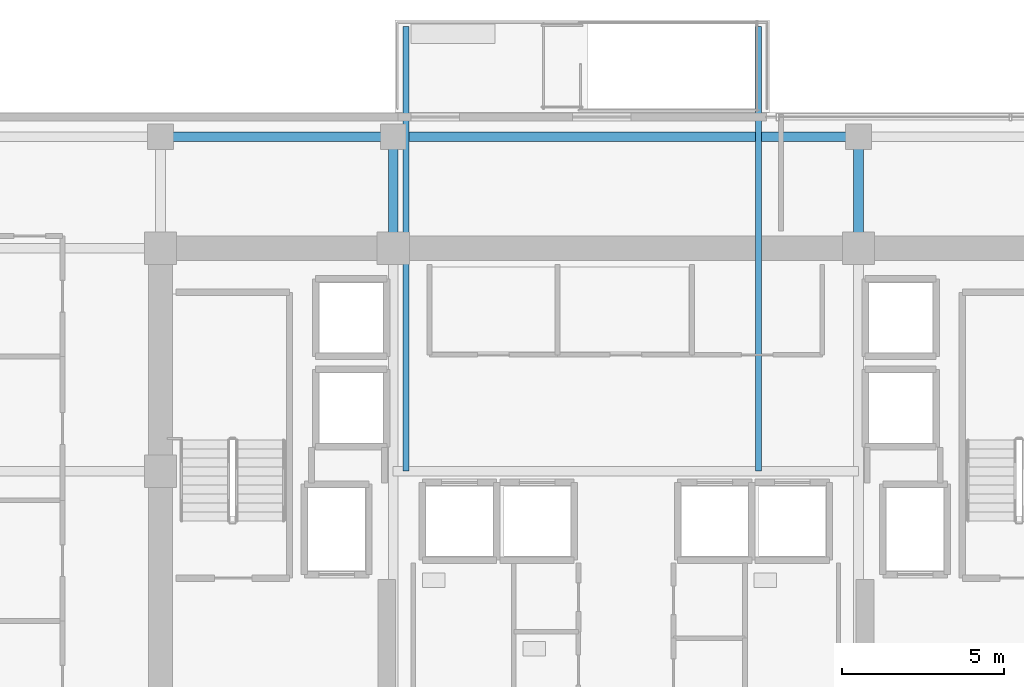
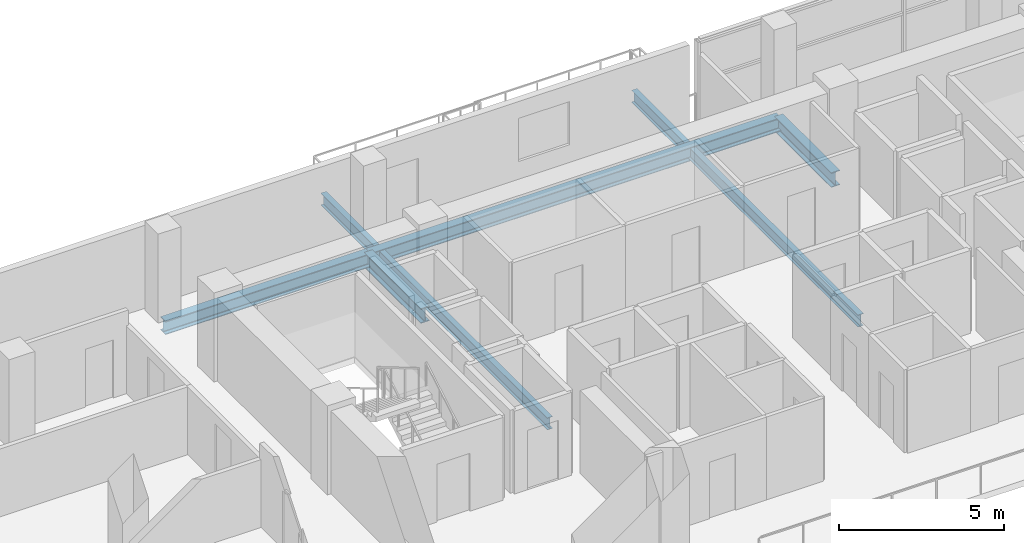
# One storey, part 11 of 23: 6 beams.
"""IFC4 building model written with IfcOpenShell, lengths in metres."""

from ifc_helpers import new_model, si_unit, direction, frame, origin, origin_2d, place, context, subcontext, project, spatial, i_section, extrude, material, material_profile, profile_set, type_object, element, save


model = new_model("IFC4")

# Units and contexts
model_context = context("Model", 3, precision=1e-05, world=origin(), true_north=direction((0.0, 1.0)))
body_context = subcontext(model_context, "Body", "Model", "MODEL_VIEW")
ifc_project = project(units=[si_unit("LENGTHUNIT", "METRE"), si_unit("AREAUNIT", "SQUARE_METRE"), si_unit("VOLUMEUNIT", "CUBIC_METRE"), si_unit("PLANEANGLEUNIT", "RADIAN"), si_unit("MASSUNIT", "GRAM", prefix="KILO")], contexts=[model_context])

# Site, building, storey
site_placement = place(None, origin())
site = spatial("IfcSite", under=ifc_project, at=site_placement, CompositionType="ELEMENT")
building_placement = place(site_placement, origin())
building = spatial("IfcBuilding", under=site, at=building_placement, Name="Zarnakvel Exchange Tower", CompositionType="ELEMENT")
storey_placement = place(building_placement, frame((0.0, 0.0, 116.5)))
storey = spatial("IfcBuildingStorey", under=building, at=storey_placement, Name="L32", CompositionType="ELEMENT", Elevation=116.5)

# Beams
ifc_material = material(Name="Steel S355", Category="steel")
ifc_material_profile_1 = material_profile(ifc_material, i_section(OverallWidth=0.18994140625, OverallDepth=0.449951171875, WebThickness=0.009521484375, FlangeThickness=0.0146484375, FilletRadius=0.02099609375, at=origin_2d()))
ifc_profile_set_1 = profile_set([ifc_material_profile_1], Name="Steel S355")
beam_type_1 = type_object("IfcBeamType", Name="B-05", PredefinedType="JOIST", material=ifc_profile_set_1)
for number, where, z_axis, x_axis, name in (
    (1, (-6.800048828125, 6.60009765625, -0.47509765625), (0.0, 1.0, 0.0), (-1.0, 0.0, 0.0), "L32 Continuous North Spiral Terrace Beam W"),
    (2, (4.10009765625, 6.60009765625, -0.47509765625), (0.0, 1.0, 0.0), (-1.0, 0.0, 0.0), "L32 Continuous North Spiral Terrace Beam E"),
):
    element("IfcBeam", number, at=place(storey_placement, frame(where, z_axis=z_axis, x_axis=x_axis)), inside=storey, type_object=beam_type_1, Name=name, PredefinedType="JOIST", context=body_context, shape_type="SweptSolid", body=[
        extrude(i_section(OverallWidth=0.18994140625, OverallDepth=0.449951171875, WebThickness=0.009521484375, FlangeThickness=0.0146484375, FilletRadius=0.02099609375, at=origin_2d()), origin(), (0.0, 0.0, 1.0), 13.760009765625),
    ])
ifc_material_profile_2 = material_profile(ifc_material, i_section(OverallWidth=0.300048828125, OverallDepth=0.550048828125, WebThickness=0.014892578125, FlangeThickness=0.029052734375, FilletRadius=0.027099609375, at=origin_2d()))
ifc_profile_set_2 = profile_set([ifc_material_profile_2], Name="Steel S355")
beam_type_2 = type_object("IfcBeamType", Name="G-05", PredefinedType="BEAM", material=ifc_profile_set_2)
for number, where, z_axis, x_axis, name in (
    (3, (-7.199951171875, 13.5, -0.5), (0.0, 1.0, 0.0), (-1.0, 0.0, 0.0), "L32 Tower N-S Frame Beam"),
    (4, (7.199951171875, 13.5, -0.5), (0.0, 1.0, 0.0), (-1.0, 0.0, 0.0), "L32 Tower N-S Frame Beam"),
):
    element("IfcBeam", number, at=place(storey_placement, frame(where, z_axis=z_axis, x_axis=x_axis)), inside=storey, type_object=beam_type_2, Name=name, PredefinedType="BEAM", context=body_context, shape_type="SweptSolid", body=[
        extrude(i_section(OverallWidth=0.300048828125, OverallDepth=0.550048828125, WebThickness=0.014892578125, FlangeThickness=0.029052734375, FilletRadius=0.027099609375, at=origin_2d()), origin(), (0.0, 0.0, 1.0), 3.449951171875),
    ])
ifc_material_profile_3 = material_profile(ifc_material, i_section(OverallWidth=0.300048828125, OverallDepth=0.5, WebThickness=0.014404296875, FlangeThickness=0.028076171875, FilletRadius=0.027099609375, at=origin_2d()))
ifc_profile_set_3 = profile_set([ifc_material_profile_3], Name="Steel S355")
beam_type_3 = type_object("IfcBeamType", Name="SP-02", PredefinedType="SPANDREL", material=ifc_profile_set_3)
beam_1_placement = place(storey_placement, frame((-14.39990234375, 16.949951171875, -0.47509765625), z_axis=(1.0, 0.0, 0.0), x_axis=(0.0, 1.0, 0.0)))
element("IfcBeam", 5, at=beam_1_placement, inside=storey, type_object=beam_type_3, Name="L32 Tower E-W Frame Beam", PredefinedType="SPANDREL", context=body_context, shape_type="SweptSolid", body=[
    extrude(i_section(OverallWidth=0.300048828125, OverallDepth=0.5, WebThickness=0.014404296875, FlangeThickness=0.028076171875, FilletRadius=0.027099609375, at=origin_2d()), origin(), (0.0, 0.0, 1.0), 7.199951171875),
])
beam_2_placement = place(storey_placement, frame((-7.199951171875, 16.949951171875, -0.47509765625), z_axis=(1.0, 0.0, 0.0), x_axis=(0.0, 1.0, 0.0)))
element("IfcBeam", 6, at=beam_2_placement, inside=storey, type_object=beam_type_3, Name="L32 Tower E-W Frame Beam", PredefinedType="SPANDREL", context=body_context, shape_type="SweptSolid", body=[
    extrude(i_section(OverallWidth=0.300048828125, OverallDepth=0.5, WebThickness=0.014404296875, FlangeThickness=0.028076171875, FilletRadius=0.027099609375, at=origin_2d()), origin(), (0.0, 0.0, 1.0), 14.39990234375),
])

save(model, "model.ifc")
